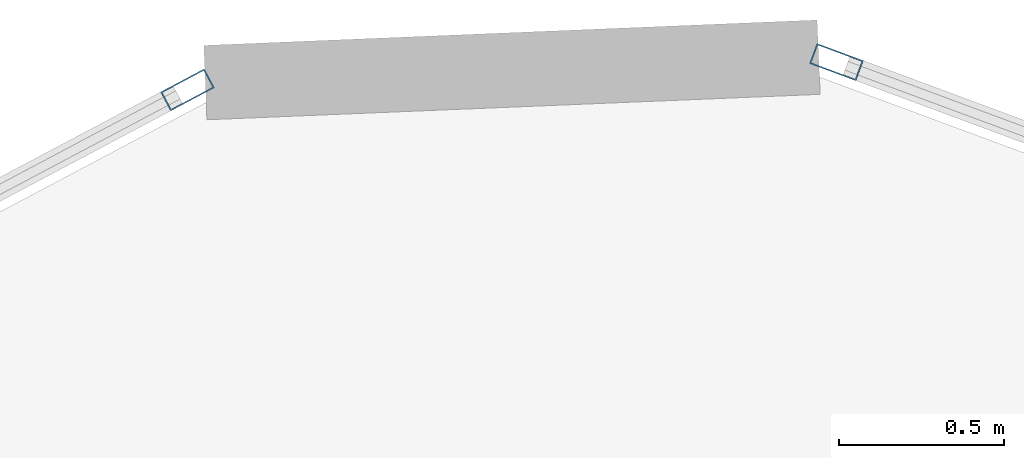
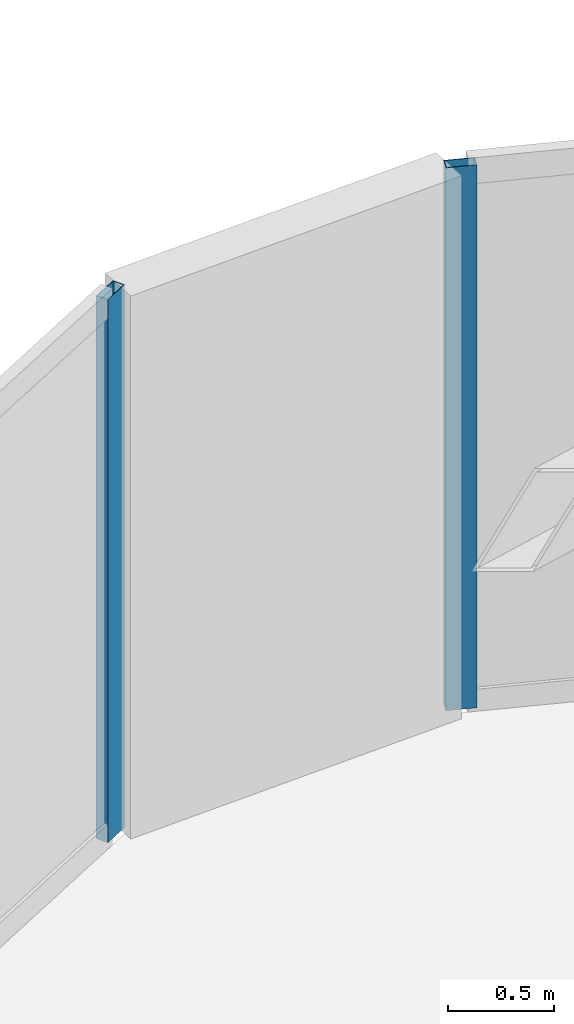
# One storey, part 15 of 20: 2 members, 2 elements without a shape of their own.
"""IFC4 building model written with IfcOpenShell, lengths in metres."""

from ifc_helpers import new_model, si_unit, direction, frame, origin, origin_2d, place, context, subcontext, project, spatial, hollow_rectangle, extrude, source, transform, mapped, material, layer, layer_set, material_profile, profile_set, type_object, type_shapes, element, aggregate, save


model = new_model("IFC4")

# Units and contexts
model_context = context("Model", 3, precision=1e-05, world=origin(), true_north=direction((0.0, 1.0)))
body_context = subcontext(model_context, "Body", "Model", "MODEL_VIEW")
ifc_project = project(units=[si_unit("LENGTHUNIT", "METRE"), si_unit("AREAUNIT", "SQUARE_METRE"), si_unit("VOLUMEUNIT", "CUBIC_METRE"), si_unit("PLANEANGLEUNIT", "RADIAN"), si_unit("MASSUNIT", "GRAM", prefix="KILO")], contexts=[model_context])

# Site, building, storey
site_placement = place(None, origin())
site = spatial("IfcSite", under=ifc_project, at=site_placement, CompositionType="ELEMENT")
building_placement = place(site_placement, origin())
building = spatial("IfcBuilding", under=site, at=building_placement, Name="Talar Marvaseh", CompositionType="ELEMENT")
storey_placement = place(building_placement, frame((0.0, 0.0, 261.199951171875)))
storey = spatial("IfcBuildingStorey", under=building, at=storey_placement, Name="L69", CompositionType="ELEMENT", Elevation=261.199951171875)

# Curtain wall, member
ifc_material = material(Name="Architectural Aluminium", Category="aluminium")
ifc_layer = layer(ifc_material, 0.179931640625)
ifc_layer_set = layer_set([ifc_layer], Name="Architectural Aluminium")
curtain_wall_type = type_object("IfcCurtainWallType", Name="Unitised High-Wind Sky Curtain Wall Z4", PredefinedType="NOTDEFINED", material=ifc_layer_set)
curtain_wall_1_placement = place(storey_placement, origin())
curtain_wall_1 = element("IfcCurtainWall", 1, at=curtain_wall_1_placement, inside=storey, type_object=curtain_wall_type, Name="L69 Unitised High-Wind Sky Curtain Wall Z4", PredefinedType="NOTDEFINED")
ifc_material_profile = material_profile(ifc_material, hollow_rectangle(XDim=0.06494140625, YDim=0.14990234375, WallThickness=0.00390625, at=origin_2d()), Name="RHS150x65x4")
ifc_profile_set = profile_set([ifc_material_profile], Name="Architectural Aluminium")
member_type = type_object("IfcMemberType", Name="Unitised Curtain Wall Slim Mullion RHS150x65x4", PredefinedType="MULLION", material=ifc_profile_set)
shared_shape = source(origin(), body_context, "Body", "SweptSolid", [
    extrude(hollow_rectangle(XDim=0.06494140625, YDim=0.14990234375, WallThickness=0.00390625, at=origin_2d()), origin(), (0.0, 0.0, 1.0), 3.14013671875),
])
type_shapes(member_type, [shared_shape])
member_1_placement = place(storey_placement, frame((26.46240234375, 43.03076171875, 0.0), z_axis=(0.0, 0.0, 1.0), x_axis=(-0.468420274674, 0.883505770369, 0.0)))
member_1 = element("IfcMember", 2, at=member_1_placement, type_object=member_type, Name="CW-Z4 mullion 4", PredefinedType="MULLION", context=body_context, shape_type="MappedRepresentation", body=[
    mapped(shared_shape, transform((0.0, 0.0, 0.0), x_axis=(1.0, 0.0, 0.0), y_axis=(0.0, 1.0, 0.0), z_axis=(0.0, 0.0, 1.0), scale=1.0)),
])
aggregate(curtain_wall_1, [member_1])

curtain_wall_2_placement = place(storey_placement, origin())
curtain_wall_2 = element("IfcCurtainWall", 3, at=curtain_wall_2_placement, inside=storey, type_object=curtain_wall_type, Name="L69 Unitised High-Wind Sky Curtain Wall Z4", PredefinedType="NOTDEFINED")
member_2_placement = place(storey_placement, frame((28.425537109375, 43.11474609375, 0.0), z_axis=(0.0, 0.0, 1.0), x_axis=(0.347687446125, 0.937610494719, 0.0)))
member_2 = element("IfcMember", 4, at=member_2_placement, type_object=member_type, Name="CW-Z4 mullion 1", PredefinedType="MULLION", context=body_context, shape_type="MappedRepresentation", body=[
    mapped(shared_shape, transform((0.0, 0.0, 0.0), x_axis=(1.0, 0.0, 0.0), y_axis=(0.0, 1.0, 0.0), z_axis=(0.0, 0.0, 1.0), scale=1.0)),
])
aggregate(curtain_wall_2, [member_2])

save(model, "model.ifc")
